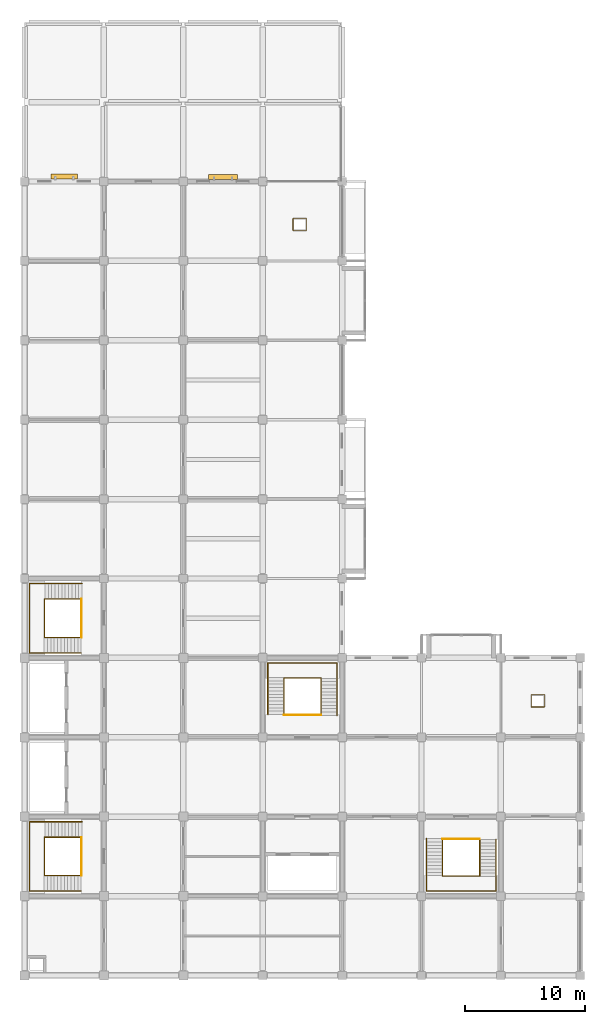
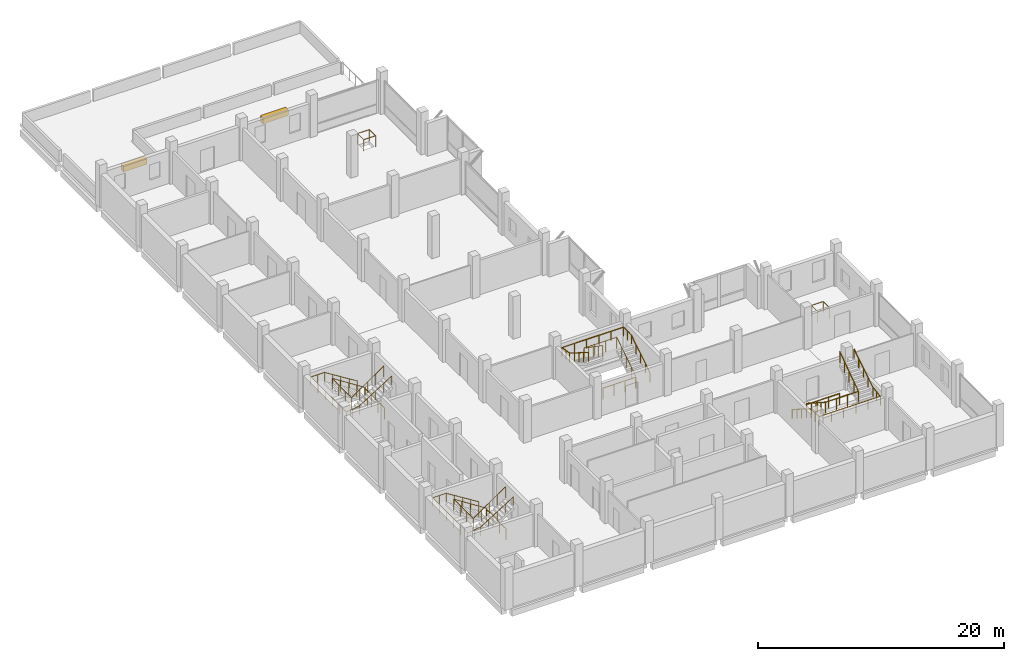
# One storey, part 12 of 13: 14 railings, 2 shading devices.
"""IFC4 building model written with IfcOpenShell, lengths in metres."""

import ifcopenshell
import ifcopenshell.guid

model = None  # the IFC model being written
_history = None  # IfcOwnerHistory: only IFC2X3 demands one
_inside = {}  # id of a spatial element -> (the spatial element, [elements in it])
_under = {}  # id of a project, library or spatial element -> (it, [spatial elements below it])
_declared = {}  # id of a project -> (the project, [libraries it declares])
_typed = {}  # id of a type object -> (the type object, [elements of that type])
_made_of = {}  # id of a material, layer set ... -> (it, [elements and type objects made of it])


def new_model(schema):
    """Start an empty IFC model of exactly this schema.

    Asked for "IFC4X3", IfcOpenShell would pick the latest addendum, in which some entities
    have other attributes; the version numbers below select the first issue.
    IFC2X3 requires an IfcOwnerHistory on every rooted entity: one is made here for all.
    """
    global model, _history
    if schema == "IFC4X3":
        model = ifcopenshell.file(schema_version=(4, 3, 0, 0))
    else:
        model = ifcopenshell.file(schema=schema)
    _inside.clear()
    _under.clear()
    _declared.clear()
    _typed.clear()
    _made_of.clear()
    _history = None
    if model.schema == "IFC2X3":
        org = make("IfcOrganization", Name="unknown")
        user = make(
            "IfcPersonAndOrganization",
            ThePerson=make("IfcPerson", FamilyName="unknown"),
            TheOrganization=org,
        )
        app = make(
            "IfcApplication",
            ApplicationDeveloper=org,
            Version="unknown",
            ApplicationFullName="unknown",
            ApplicationIdentifier="unknown",
        )
        _history = make(
            "IfcOwnerHistory",
            OwningUser=user,
            OwningApplication=app,
            ChangeAction="ADDED",
            CreationDate=0,
        )
    return model


def make(cls, **values):
    """One entity of the class cls with the attributes given. An attribute that is None is left unset."""
    return model.create_entity(
        cls, **{name: value for name, value in values.items() if value is not None}
    )


def rooted(cls, **values):
    """An entity with a GlobalId (a new one), such as an element, a storey or a relation."""
    return make(cls, GlobalId=ifcopenshell.guid.new(), OwnerHistory=_history, **values)


def si_unit(unit_type, name, prefix=None):
    """IfcSIUnit, for example si_unit("LENGTHUNIT", "METRE", prefix="MILLI")."""
    return make("IfcSIUnit", UnitType=unit_type, Prefix=prefix, Name=name)


def assignment(units):
    """IfcUnitAssignment: the units of a project."""
    return None if units is None else make("IfcUnitAssignment", Units=units)


def point(xyz):
    """IfcCartesianPoint."""
    return None if xyz is None else make("IfcCartesianPoint", Coordinates=xyz)


def direction(xyz):
    """IfcDirection."""
    return None if xyz is None else make("IfcDirection", DirectionRatios=xyz)


def frame(location, z_axis=None, x_axis=None):
    """IfcAxis2Placement3D, a coordinate frame: its origin and axes. An axis left out is left unset."""
    return make(
        "IfcAxis2Placement3D",
        Location=point(location),
        Axis=direction(z_axis),
        RefDirection=direction(x_axis),
    )


def frame_2d(location, x_axis=None):
    """IfcAxis2Placement2D, a coordinate frame in the plane: its origin and x axis."""
    return make(
        "IfcAxis2Placement2D", Location=point(location), RefDirection=direction(x_axis)
    )


def origin():
    """The frame at (0, 0, 0) with its axes left unset."""
    return frame((0.0, 0.0, 0.0))


def origin_2d():
    """The frame at (0, 0) in the plane with its x axis left unset."""
    return frame_2d((0.0, 0.0))


def place(relative_to, where):
    """IfcLocalPlacement: puts the frame where relative to a parent placement (None: the world)."""
    return make(
        "IfcLocalPlacement", PlacementRelTo=relative_to, RelativePlacement=where
    )


def context(
    kind, dimensions, precision=None, world=None, true_north=None, identifier=None
):
    """IfcGeometricRepresentationContext, for example the 3D "Model" context."""
    return make(
        "IfcGeometricRepresentationContext",
        ContextIdentifier=identifier,
        ContextType=kind,
        CoordinateSpaceDimension=dimensions,
        Precision=precision,
        WorldCoordinateSystem=world,
        TrueNorth=true_north,
    )


def subcontext(parent, identifier, kind, view, scale=None):
    """IfcGeometricRepresentationSubContext, for example "Body" below "Model"."""
    return make(
        "IfcGeometricRepresentationSubContext",
        ContextIdentifier=identifier,
        ContextType=kind,
        ParentContext=parent,
        TargetScale=scale,
        TargetView=view,
    )


def project(units=None, contexts=None):
    """IfcProject with its units and contexts."""
    return rooted(
        "IfcProject",
        Name="project",
        RepresentationContexts=contexts,
        UnitsInContext=assignment(units),
    )


def spatial(cls, under=None, at=None, **own):
    """A site, building, storey or space (cls), placed at a placement, below another one or the project."""
    s = rooted(cls, ObjectPlacement=at, **own)
    if under is not None:
        _under.setdefault(under.id(), (under, []))[1].append(s)
    return s


def profile(cls, at=None, kind="AREA", **sizes):
    """A parametric profile (cls). Its sizes go by their IFC names, for example OverallWidth=200.0."""
    return make(cls, ProfileType=kind, Position=at, **sizes)


def rectangle(**sizes):
    """IfcRectangleProfileDef."""
    return profile("IfcRectangleProfileDef", **sizes)


def circle(**sizes):
    """IfcCircleProfileDef."""
    return profile("IfcCircleProfileDef", **sizes)


def extrude(swept, where, along, depth):
    """IfcExtrudedAreaSolid: the profile swept, set in the frame where, extruded along a direction by depth."""
    return make(
        "IfcExtrudedAreaSolid",
        SweptArea=swept,
        Position=where,
        ExtrudedDirection=direction(along),
        Depth=depth,
    )


def shape(context_of_items, identifier, shape_type, items):
    """IfcShapeRepresentation: the items that make up one representation, for example the "Body"."""
    return make(
        "IfcShapeRepresentation",
        ContextOfItems=context_of_items,
        RepresentationIdentifier=identifier,
        RepresentationType=shape_type,
        Items=items,
    )


def material(Name=None, Category=None):
    """IfcMaterial."""
    return make("IfcMaterial", Name=Name, Category=Category)


def made_of(thing, what):
    """Note that an element or type object is made of a material, layer set ...; save() writes the relation."""
    if what is not None:
        _made_of.setdefault(what.id(), (what, []))[1].append(thing)
    return thing


def type_object(cls, material=None, **own):
    """A type object (cls), such as IfcWallType, which elements share."""
    return made_of(rooted(cls, **own), material)


def element(
    cls,
    number,
    at=None,
    inside=None,
    cuts=None,
    type_object=None,
    material=None,
    context=None,
    identifier="Body",
    shape_type=None,
    held_by="IfcProductDefinitionShape",
    body=None,
    shapes=None,
    **own,
):
    """One element of the class cls, such as IfcWall. Its Tag is "e" and its number.

    at: its placement. inside: the storey or other place that contains it. cuts: it is an
    opening in that element (IfcRelVoidsElement). A single representation is given by context,
    identifier, shape_type and body (its items); several are given by shapes. held_by: the class
    of the entity that holds the representations. save() writes the other relations.
    """
    e = rooted(cls, Tag="e%d" % number, ObjectPlacement=at, **own)
    if body is not None:
        shapes = [shape(context, identifier, shape_type, body)]
    if shapes is not None:
        e.Representation = make(held_by, Representations=shapes)
    if inside is not None:
        _inside.setdefault(inside.id(), (inside, []))[1].append(e)
    if cuts is not None:
        rooted(
            "IfcRelVoidsElement", RelatingBuildingElement=cuts, RelatedOpeningElement=e
        )
    if type_object is not None:
        _typed.setdefault(type_object.id(), (type_object, []))[1].append(e)
    return made_of(e, material)


def aggregate(whole, parts):
    """IfcRelAggregates: a whole, such as a stair, and the parts it consists of."""
    return rooted("IfcRelAggregates", RelatingObject=whole, RelatedObjects=parts)


def save(model, path):
    """Write the relations noted so far, then the file.

    IfcRelAggregates (storeys below a building ...), IfcRelContainedInSpatialStructure (elements
    in a storey), IfcRelDefinesByType, IfcRelAssociatesMaterial and IfcRelDeclares: one each for
    every whole, place, type object, material and project.
    """
    for whole, parts in _under.values():
        aggregate(whole, parts)
    for where, things in _inside.values():
        rooted(
            "IfcRelContainedInSpatialStructure",
            RelatedElements=things,
            RelatingStructure=where,
        )
    for kind, things in _typed.values():
        rooted("IfcRelDefinesByType", RelatedObjects=things, RelatingType=kind)
    for what, things in _made_of.values():
        rooted("IfcRelAssociatesMaterial", RelatedObjects=things, RelatingMaterial=what)
    for by, libraries in _declared.values():
        rooted("IfcRelDeclares", RelatingContext=by, RelatedDefinitions=libraries)
    model.write(path)


model = new_model("IFC4")

# Units and contexts
model_context = context("Model", 3, precision=1e-05, world=origin(), true_north=direction((0.0, 1.0)))
body_context = subcontext(model_context, "Body", "Model", "MODEL_VIEW")
ifc_project = project(units=[si_unit("LENGTHUNIT", "METRE"), si_unit("AREAUNIT", "SQUARE_METRE"), si_unit("VOLUMEUNIT", "CUBIC_METRE"), si_unit("PLANEANGLEUNIT", "RADIAN"), si_unit("MASSUNIT", "GRAM", prefix="KILO")], contexts=[model_context])

# Site, building, storey
site_placement = place(None, origin())
site = spatial("IfcSite", under=ifc_project, at=site_placement, CompositionType="ELEMENT")
building_placement = place(site_placement, origin())
building = spatial("IfcBuilding", under=site, at=building_placement, Name="Rusizi Kubbe Research Institute", CompositionType="ELEMENT")
storey_placement = place(building_placement, frame((0.0, 0.0, 35.39990234375)))
storey = spatial("IfcBuildingStorey", under=building, at=storey_placement, Name="L08", CompositionType="ELEMENT", Elevation=35.39990234375)

# Railings
ifc_material_1 = material(Name="Painted Steel Stair Guard", Category="steel")
railing_type_1 = type_object("IfcRailingType", Name="GR-STAIR", PredefinedType="GUARDRAIL", material=ifc_material_1)
railing_1_placement = place(storey_placement, frame((4.780029296875, 11.489990234375, 0.087646484375)))
element("IfcRailing", 1, at=railing_1_placement, inside=storey, type_object=railing_type_1, Name="Stair Inner Well Guard ST1 L08", PredefinedType="GUARDRAIL", context=body_context, shape_type="SweptSolid", body=[
    extrude(circle(Radius=0.02392578125, at=origin_2d()), frame((0.0, 0.0, 1.09619140625), z_axis=(-0.840361383606, 0.0, 0.542026516828), x_axis=(0.0, -1.0, 0.0)), (0.0, 0.0, 1.0), 3.712890625),
    extrude(circle(Radius=0.02392578125, at=origin_2d()), frame((-3.1201171875, 0.0, 3.1083984375), z_axis=(0.0, -1.0, 0.0), x_axis=(1.0, 0.0, 0.0)), (0.0, 0.0, 1.0), 3.179931640625),
    extrude(circle(Radius=0.02392578125, at=origin_2d()), frame((-3.1201171875, -3.179931640625, 3.1083984375), z_axis=(0.82276741766, 0.0, 0.568378198419), x_axis=(0.0, 1.0, 0.0)), (0.0, 0.0, 1.0), 3.69482421875),
    extrude(circle(Radius=0.02099609375, at=origin_2d()), origin(), (0.0, 0.0, 1.0), 1.072021484375),
    extrude(circle(Radius=0.02099609375, at=origin_2d()), frame((-0.780029296875, 0.0, 0.503173828125)), (0.0, 0.0, 1.0), 1.072021484375),
    extrude(circle(Radius=0.02099609375, at=origin_2d()), frame((-1.56005859375, 0.0, 1.00634765625)), (0.0, 0.0, 1.0), 1.072021484375),
    extrude(circle(Radius=0.02099609375, at=origin_2d()), frame((-2.340087890625, 0.0, 1.50927734375)), (0.0, 0.0, 1.0), 1.072021484375),
    extrude(circle(Radius=0.02099609375, at=origin_2d()), frame((-3.1201171875, 0.0, 2.012451171875)), (0.0, 0.0, 1.0), 1.072021484375),
    extrude(circle(Radius=0.02099609375, at=origin_2d()), frame((-3.1201171875, -1.06005859375, 2.012451171875)), (0.0, 0.0, 1.0), 1.072021484375),
    extrude(circle(Radius=0.02099609375, at=origin_2d()), frame((-3.1201171875, -2.119873046875, 2.012451171875)), (0.0, 0.0, 1.0), 1.072021484375),
    extrude(circle(Radius=0.02099609375, at=origin_2d()), frame((-3.1201171875, -3.179931640625, 2.012451171875)), (0.0, 0.0, 1.0), 1.072021484375),
    extrude(circle(Radius=0.02099609375, at=origin_2d()), frame((-2.360107421875, -3.179931640625, 2.53759765625)), (0.0, 0.0, 1.0), 1.072021484375),
    extrude(circle(Radius=0.02099609375, at=origin_2d()), frame((-1.60009765625, -3.179931640625, 3.0625)), (0.0, 0.0, 1.0), 1.072021484375),
    extrude(circle(Radius=0.02099609375, at=origin_2d()), frame((-0.840087890625, -3.179931640625, 3.58740234375)), (0.0, 0.0, 1.0), 1.072021484375),
    extrude(circle(Radius=0.02099609375, at=origin_2d()), frame((-0.080078125, -3.179931640625, 4.112548828125)), (0.0, 0.0, 1.0), 1.072021484375),
])
railing_2_placement = place(storey_placement, frame((4.75, 11.489990234375, 0.0)))
element("IfcRailing", 2, at=railing_2_placement, inside=storey, type_object=railing_type_1, Name="Stair Floor Edge Guard ST1 L08", PredefinedType="GUARDRAIL", context=body_context, shape_type="SweptSolid", body=[
    extrude(circle(Radius=0.02392578125, at=origin_2d()), frame((0.0, 0.0, 1.09619140625), z_axis=(0.0, -1.0, 0.0), x_axis=(1.0, 0.0, 0.0)), (0.0, 0.0, 1.0), 3.179931640625),
    extrude(circle(Radius=0.02099609375, at=origin_2d()), origin(), (0.0, 0.0, 1.0), 1.072021484375),
    extrude(circle(Radius=0.02099609375, at=origin_2d()), frame((0.0, -1.06005859375, 0.0)), (0.0, 0.0, 1.0), 1.072021484375),
    extrude(circle(Radius=0.02099609375, at=origin_2d()), frame((0.0, -2.119873046875, 0.0)), (0.0, 0.0, 1.0), 1.072021484375),
    extrude(circle(Radius=0.02099609375, at=origin_2d()), frame((0.0, -3.179931640625, 0.0)), (0.0, 0.0, 1.0), 1.072021484375),
])
railing_3_placement = place(storey_placement, frame((4.780029296875, 31.2900390625, 0.087646484375)))
element("IfcRailing", 3, at=railing_3_placement, inside=storey, type_object=railing_type_1, Name="Stair Inner Well Guard ST2 L08", PredefinedType="GUARDRAIL", context=body_context, shape_type="SweptSolid", body=[
    extrude(circle(Radius=0.02392578125, at=origin_2d()), frame((0.0, 0.0, 1.09619140625), z_axis=(-0.840361383606, 0.0, 0.542026516828), x_axis=(0.0, -1.0, 0.0)), (0.0, 0.0, 1.0), 3.712890625),
    extrude(circle(Radius=0.02392578125, at=origin_2d()), frame((-3.1201171875, 0.0, 3.1083984375), z_axis=(0.0, -1.0, 0.0), x_axis=(1.0, 0.0, 0.0)), (0.0, 0.0, 1.0), 3.179931640625),
    extrude(circle(Radius=0.02392578125, at=origin_2d()), frame((-3.1201171875, -3.179931640625, 3.1083984375), z_axis=(0.82276741766, 0.0, 0.568378198419), x_axis=(0.0, 1.0, 0.0)), (0.0, 0.0, 1.0), 3.69482421875),
    extrude(circle(Radius=0.02099609375, at=origin_2d()), origin(), (0.0, 0.0, 1.0), 1.072021484375),
    extrude(circle(Radius=0.02099609375, at=origin_2d()), frame((-0.780029296875, 0.0, 0.503173828125)), (0.0, 0.0, 1.0), 1.072021484375),
    extrude(circle(Radius=0.02099609375, at=origin_2d()), frame((-1.56005859375, 0.0, 1.00634765625)), (0.0, 0.0, 1.0), 1.072021484375),
    extrude(circle(Radius=0.02099609375, at=origin_2d()), frame((-2.340087890625, 0.0, 1.50927734375)), (0.0, 0.0, 1.0), 1.072021484375),
    extrude(circle(Radius=0.02099609375, at=origin_2d()), frame((-3.1201171875, 0.0, 2.012451171875)), (0.0, 0.0, 1.0), 1.072021484375),
    extrude(circle(Radius=0.02099609375, at=origin_2d()), frame((-3.1201171875, -1.06005859375, 2.012451171875)), (0.0, 0.0, 1.0), 1.072021484375),
    extrude(circle(Radius=0.02099609375, at=origin_2d()), frame((-3.1201171875, -2.119873046875, 2.012451171875)), (0.0, 0.0, 1.0), 1.072021484375),
    extrude(circle(Radius=0.02099609375, at=origin_2d()), frame((-3.1201171875, -3.179931640625, 2.012451171875)), (0.0, 0.0, 1.0), 1.072021484375),
    extrude(circle(Radius=0.02099609375, at=origin_2d()), frame((-2.360107421875, -3.179931640625, 2.53759765625)), (0.0, 0.0, 1.0), 1.072021484375),
    extrude(circle(Radius=0.02099609375, at=origin_2d()), frame((-1.60009765625, -3.179931640625, 3.0625)), (0.0, 0.0, 1.0), 1.072021484375),
    extrude(circle(Radius=0.02099609375, at=origin_2d()), frame((-0.840087890625, -3.179931640625, 3.58740234375)), (0.0, 0.0, 1.0), 1.072021484375),
    extrude(circle(Radius=0.02099609375, at=origin_2d()), frame((-0.080078125, -3.179931640625, 4.112548828125)), (0.0, 0.0, 1.0), 1.072021484375),
])
railing_4_placement = place(storey_placement, frame((4.75, 31.2900390625, 0.0)))
element("IfcRailing", 4, at=railing_4_placement, inside=storey, type_object=railing_type_1, Name="Stair Floor Edge Guard ST2 L08", PredefinedType="GUARDRAIL", context=body_context, shape_type="SweptSolid", body=[
    extrude(circle(Radius=0.02392578125, at=origin_2d()), frame((0.0, 0.0, 1.09619140625), z_axis=(0.0, -1.0, 0.0), x_axis=(1.0, 0.0, 0.0)), (0.0, 0.0, 1.0), 3.179931640625),
    extrude(circle(Radius=0.02099609375, at=origin_2d()), origin(), (0.0, 0.0, 1.0), 1.072021484375),
    extrude(circle(Radius=0.02099609375, at=origin_2d()), frame((0.0, -1.06005859375, 0.0)), (0.0, 0.0, 1.0), 1.072021484375),
    extrude(circle(Radius=0.02099609375, at=origin_2d()), frame((0.0, -2.119873046875, 0.0)), (0.0, 0.0, 1.0), 1.072021484375),
    extrude(circle(Radius=0.02099609375, at=origin_2d()), frame((0.0, -3.179931640625, 0.0)), (0.0, 0.0, 1.0), 1.072021484375),
])
railing_5_placement = place(storey_placement, frame((24.639892578125, 21.6201171875, 0.087646484375)))
element("IfcRailing", 5, at=railing_5_placement, inside=storey, type_object=railing_type_1, Name="Stair Inner Well Guard ST3 L08", PredefinedType="GUARDRAIL", context=body_context, shape_type="SweptSolid", body=[
    extrude(circle(Radius=0.02392578125, at=origin_2d()), frame((0.0, 0.0, 1.09619140625), z_axis=(0.0, 0.840342063375, 0.542056469865), x_axis=(-1.0, 0.0, 0.0)), (0.0, 0.0, 1.0), 3.712646484375),
    extrude(circle(Radius=0.02392578125, at=origin_2d()), frame((0.0, 3.119873046875, 3.1083984375), z_axis=(-1.0, 0.0, 0.0), x_axis=(0.0, -1.0, 0.0)), (0.0, 0.0, 1.0), 3.079833984375),
    extrude(circle(Radius=0.02392578125, at=origin_2d()), frame((-3.079833984375, 3.119873046875, 3.1083984375), z_axis=(0.0, -0.82276741766, 0.568378198419), x_axis=(1.0, 0.0, 0.0)), (0.0, 0.0, 1.0), 3.69482421875),
    extrude(circle(Radius=0.02099609375, at=origin_2d()), origin(), (0.0, 0.0, 1.0), 1.072021484375),
    extrude(circle(Radius=0.02099609375, at=origin_2d()), frame((0.0, 0.780029296875, 0.503173828125)), (0.0, 0.0, 1.0), 1.072021484375),
    extrude(circle(Radius=0.02099609375, at=origin_2d()), frame((0.0, 1.56005859375, 1.00634765625)), (0.0, 0.0, 1.0), 1.072021484375),
    extrude(circle(Radius=0.02099609375, at=origin_2d()), frame((0.0, 2.33984375, 1.50927734375)), (0.0, 0.0, 1.0), 1.072021484375),
    extrude(circle(Radius=0.02099609375, at=origin_2d()), frame((0.0, 3.119873046875, 2.012451171875)), (0.0, 0.0, 1.0), 1.072021484375),
    extrude(circle(Radius=0.02099609375, at=origin_2d()), frame((-1.026611328125, 3.119873046875, 2.012451171875)), (0.0, 0.0, 1.0), 1.072021484375),
    extrude(circle(Radius=0.02099609375, at=origin_2d()), frame((-2.05322265625, 3.119873046875, 2.012451171875)), (0.0, 0.0, 1.0), 1.072021484375),
    extrude(circle(Radius=0.02099609375, at=origin_2d()), frame((-3.079833984375, 3.119873046875, 2.012451171875)), (0.0, 0.0, 1.0), 1.072021484375),
    extrude(circle(Radius=0.02099609375, at=origin_2d()), frame((-3.079833984375, 2.35986328125, 2.53759765625)), (0.0, 0.0, 1.0), 1.072021484375),
    extrude(circle(Radius=0.02099609375, at=origin_2d()), frame((-3.079833984375, 1.599853515625, 3.0625)), (0.0, 0.0, 1.0), 1.072021484375),
    extrude(circle(Radius=0.02099609375, at=origin_2d()), frame((-3.079833984375, 0.83984375, 3.58740234375)), (0.0, 0.0, 1.0), 1.072021484375),
    extrude(circle(Radius=0.02099609375, at=origin_2d()), frame((-3.079833984375, 0.079833984375, 4.112548828125)), (0.0, 0.0, 1.0), 1.072021484375),
])
railing_6_placement = place(storey_placement, frame((24.639892578125, 21.64990234375, 0.0)))
element("IfcRailing", 6, at=railing_6_placement, inside=storey, type_object=railing_type_1, Name="Stair Floor Edge Guard ST3 L08", PredefinedType="GUARDRAIL", context=body_context, shape_type="SweptSolid", body=[
    extrude(circle(Radius=0.02392578125, at=origin_2d()), frame((0.0, 0.0, 1.09619140625), z_axis=(-1.0, 0.0, 0.0), x_axis=(0.0, -1.0, 0.0)), (0.0, 0.0, 1.0), 3.079833984375),
    extrude(circle(Radius=0.02099609375, at=origin_2d()), origin(), (0.0, 0.0, 1.0), 1.072021484375),
    extrude(circle(Radius=0.02099609375, at=origin_2d()), frame((-1.026611328125, 0.0, 0.0)), (0.0, 0.0, 1.0), 1.072021484375),
    extrude(circle(Radius=0.02099609375, at=origin_2d()), frame((-2.05322265625, 0.0, 0.0)), (0.0, 0.0, 1.0), 1.072021484375),
    extrude(circle(Radius=0.02099609375, at=origin_2d()), frame((-3.079833984375, 0.0, 0.0)), (0.0, 0.0, 1.0), 1.072021484375),
])
railing_7_placement = place(storey_placement, frame((34.760009765625, 11.3798828125, 0.087646484375)))
element("IfcRailing", 7, at=railing_7_placement, inside=storey, type_object=railing_type_1, Name="Stair Inner Well Guard ST4 L08", PredefinedType="GUARDRAIL", context=body_context, shape_type="SweptSolid", body=[
    extrude(circle(Radius=0.02392578125, at=origin_2d()), frame((0.0, 0.0, 1.09619140625), z_axis=(0.0, -0.840342063375, 0.542056469865), x_axis=(1.0, 0.0, 0.0)), (0.0, 0.0, 1.0), 3.712646484375),
    extrude(circle(Radius=0.02392578125, at=origin_2d()), frame((0.0, -3.119873046875, 3.1083984375), z_axis=(1.0, 0.0, 0.0), x_axis=(0.0, 1.0, 0.0)), (0.0, 0.0, 1.0), 3.080078125),
    extrude(circle(Radius=0.02392578125, at=origin_2d()), frame((3.080078125, -3.119873046875, 3.1083984375), z_axis=(0.0, 0.82276741766, 0.568378198419), x_axis=(-1.0, 0.0, 0.0)), (0.0, 0.0, 1.0), 3.69482421875),
    extrude(circle(Radius=0.02099609375, at=origin_2d()), origin(), (0.0, 0.0, 1.0), 1.072021484375),
    extrude(circle(Radius=0.02099609375, at=origin_2d()), frame((0.0, -0.780029296875, 0.503173828125)), (0.0, 0.0, 1.0), 1.072021484375),
    extrude(circle(Radius=0.02099609375, at=origin_2d()), frame((0.0, -1.56005859375, 1.00634765625)), (0.0, 0.0, 1.0), 1.072021484375),
    extrude(circle(Radius=0.02099609375, at=origin_2d()), frame((0.0, -2.33984375, 1.50927734375)), (0.0, 0.0, 1.0), 1.072021484375),
    extrude(circle(Radius=0.02099609375, at=origin_2d()), frame((0.0, -3.119873046875, 2.012451171875)), (0.0, 0.0, 1.0), 1.072021484375),
    extrude(circle(Radius=0.02099609375, at=origin_2d()), frame((1.026611328125, -3.119873046875, 2.012451171875)), (0.0, 0.0, 1.0), 1.072021484375),
    extrude(circle(Radius=0.02099609375, at=origin_2d()), frame((2.053466796875, -3.119873046875, 2.012451171875)), (0.0, 0.0, 1.0), 1.072021484375),
    extrude(circle(Radius=0.02099609375, at=origin_2d()), frame((3.080078125, -3.119873046875, 2.012451171875)), (0.0, 0.0, 1.0), 1.072021484375),
    extrude(circle(Radius=0.02099609375, at=origin_2d()), frame((3.080078125, -2.35986328125, 2.53759765625)), (0.0, 0.0, 1.0), 1.072021484375),
    extrude(circle(Radius=0.02099609375, at=origin_2d()), frame((3.080078125, -1.599853515625, 3.0625)), (0.0, 0.0, 1.0), 1.072021484375),
    extrude(circle(Radius=0.02099609375, at=origin_2d()), frame((3.080078125, -0.83984375, 3.58740234375)), (0.0, 0.0, 1.0), 1.072021484375),
    extrude(circle(Radius=0.02099609375, at=origin_2d()), frame((3.080078125, -0.079833984375, 4.112548828125)), (0.0, 0.0, 1.0), 1.072021484375),
])
railing_8_placement = place(storey_placement, frame((34.760009765625, 11.35009765625, 0.0)))
element("IfcRailing", 8, at=railing_8_placement, inside=storey, type_object=railing_type_1, Name="Stair Floor Edge Guard ST4 L08", PredefinedType="GUARDRAIL", context=body_context, shape_type="SweptSolid", body=[
    extrude(circle(Radius=0.02392578125, at=origin_2d()), frame((0.0, 0.0, 1.09619140625), z_axis=(1.0, 0.0, 0.0), x_axis=(0.0, 1.0, 0.0)), (0.0, 0.0, 1.0), 3.080078125),
    extrude(circle(Radius=0.02099609375, at=origin_2d()), origin(), (0.0, 0.0, 1.0), 1.072021484375),
    extrude(circle(Radius=0.02099609375, at=origin_2d()), frame((1.026611328125, 0.0, 0.0)), (0.0, 0.0, 1.0), 1.072021484375),
    extrude(circle(Radius=0.02099609375, at=origin_2d()), frame((2.053466796875, 0.0, 0.0)), (0.0, 0.0, 1.0), 1.072021484375),
    extrude(circle(Radius=0.02099609375, at=origin_2d()), frame((3.080078125, 0.0, 0.0)), (0.0, 0.0, 1.0), 1.072021484375),
])
for number, where, name in (
    (9, (22.320068359375, 61.919921875, 0.0), "Service Riser Guard L08 NORTHA"),
    (10, (42.1201171875, 22.320068359375, 0.0), "Service Riser Guard L08 EAST"),
):
    element("IfcRailing", number, at=place(storey_placement, frame(where)), inside=storey, type_object=railing_type_1, Name=name, PredefinedType="GUARDRAIL", context=body_context, shape_type="SweptSolid", body=[
        extrude(circle(Radius=0.02392578125, at=origin_2d()), frame((0.0, 0.0, 1.09619140625), z_axis=(1.0, 0.0, 0.0), x_axis=(0.0, 1.0, 0.0)), (0.0, 0.0, 1.0), 1.10986328125),
        extrude(circle(Radius=0.02392578125, at=origin_2d()), frame((1.10986328125, 0.0, 1.09619140625), z_axis=(0.0, 1.0, 0.0), x_axis=(-1.0, 0.0, 0.0)), (0.0, 0.0, 1.0), 1.010009765625),
        extrude(circle(Radius=0.02392578125, at=origin_2d()), frame((1.10986328125, 1.010009765625, 1.09619140625), z_axis=(-1.0, 0.0, 0.0), x_axis=(0.0, -1.0, 0.0)), (0.0, 0.0, 1.0), 1.10986328125),
        extrude(circle(Radius=0.02392578125, at=origin_2d()), frame((0.0, 1.010009765625, 1.09619140625), z_axis=(0.0, -1.0, 0.0), x_axis=(1.0, 0.0, 0.0)), (0.0, 0.0, 1.0), 1.010009765625),
        extrude(circle(Radius=0.02099609375, at=origin_2d()), origin(), (0.0, 0.0, 1.0), 1.072021484375),
        extrude(circle(Radius=0.02099609375, at=origin_2d()), frame((1.10986328125, 0.0, 0.0)), (0.0, 0.0, 1.0), 1.072021484375),
        extrude(circle(Radius=0.02099609375, at=origin_2d()), frame((1.10986328125, 1.010009765625, 0.0)), (0.0, 0.0, 1.0), 1.072021484375),
        extrude(circle(Radius=0.02099609375, at=origin_2d()), frame((0.0, 1.010009765625, 0.0)), (0.0, 0.0, 1.0), 1.072021484375),
    ])
ifc_material_2 = material(Name="Brushed Stainless Steel Handrail", Category="steel")
railing_type_2 = type_object("IfcRailingType", Name="HR-STAIR", PredefinedType="HANDRAIL", material=ifc_material_2)
railing_9_placement = place(storey_placement, frame((4.780029296875, 12.780029296875, 0.175048828125)))
element("IfcRailing", 11, at=railing_9_placement, inside=storey, type_object=railing_type_2, Name="Stair Wall Handrail ST1 L08", PredefinedType="HANDRAIL", context=body_context, shape_type="SweptSolid", body=[
    extrude(circle(Radius=0.02392578125, at=origin_2d()), frame((0.0, 0.0, 0.8759765625), z_axis=(-0.847998304005, 0.0, 0.529998940003), x_axis=(0.0, -1.0, 0.0)), (0.0, 0.0, 1.0), 3.632080078125),
    extrude(circle(Radius=0.02392578125, at=origin_2d()), frame((-3.080078125, 0.0, 2.80078125), z_axis=(-1.0, 0.0, 0.0), x_axis=(0.0, -1.0, 0.0)), (0.0, 0.0, 1.0), 1.280029296875),
    extrude(circle(Radius=0.02392578125, at=origin_2d()), frame((-4.360107421875, 0.0, 2.80078125), z_axis=(0.0, -1.0, 0.0), x_axis=(1.0, 0.0, 0.0)), (0.0, 0.0, 1.0), 5.760009765625),
    extrude(circle(Radius=0.02392578125, at=origin_2d()), frame((-4.360107421875, -5.760009765625, 2.80078125), z_axis=(0.989630492691, 0.0, 0.143636652482), x_axis=(0.0, 1.0, 0.0)), (0.0, 0.0, 1.0), 1.21875),
    extrude(circle(Radius=0.02392578125, at=origin_2d()), frame((-3.154052734375, -5.760009765625, 2.97607421875), z_axis=(0.847525270172, 0.0, 0.530755043706), x_axis=(0.0, 1.0, 0.0)), (0.0, 0.0, 1.0), 3.626953125),
    extrude(circle(Radius=0.02099609375, at=origin_2d()), origin(), (0.0, 0.0, 1.0), 0.851806640625),
    extrude(circle(Radius=0.02099609375, at=origin_2d()), frame((-0.77001953125, 0.0, 0.481201171875)), (0.0, 0.0, 1.0), 0.851806640625),
    extrude(circle(Radius=0.02099609375, at=origin_2d()), frame((-1.5400390625, 0.0, 0.96240234375)), (0.0, 0.0, 1.0), 0.851806640625),
    extrude(circle(Radius=0.02099609375, at=origin_2d()), frame((-2.31005859375, 0.0, 1.44384765625)), (0.0, 0.0, 1.0), 0.851806640625),
    extrude(circle(Radius=0.02099609375, at=origin_2d()), frame((-3.080078125, 0.0, 1.925048828125)), (0.0, 0.0, 1.0), 0.851806640625),
    extrude(circle(Radius=0.02099609375, at=origin_2d()), frame((-3.72021484375, 0.0, 1.925048828125)), (0.0, 0.0, 1.0), 0.851806640625),
    extrude(circle(Radius=0.02099609375, at=origin_2d()), frame((-4.360107421875, 0.0, 1.925048828125)), (0.0, 0.0, 1.0), 0.851806640625),
    extrude(circle(Radius=0.02099609375, at=origin_2d()), frame((-4.360107421875, -1.152099609375, 1.925048828125)), (0.0, 0.0, 1.0), 0.851806640625),
    extrude(circle(Radius=0.02099609375, at=origin_2d()), frame((-4.360107421875, -2.303955078125, 1.925048828125)), (0.0, 0.0, 1.0), 0.851806640625),
    extrude(circle(Radius=0.02099609375, at=origin_2d()), frame((-4.360107421875, -3.4560546875, 1.925048828125)), (0.0, 0.0, 1.0), 0.851806640625),
    extrude(circle(Radius=0.02099609375, at=origin_2d()), frame((-4.360107421875, -4.60791015625, 1.925048828125)), (0.0, 0.0, 1.0), 0.851806640625),
    extrude(circle(Radius=0.02099609375, at=origin_2d()), frame((-4.360107421875, -5.760009765625, 1.925048828125)), (0.0, 0.0, 1.0), 0.851806640625),
    extrude(circle(Radius=0.02099609375, at=origin_2d()), frame((-3.757080078125, -5.760009765625, 2.0126953125)), (0.0, 0.0, 1.0), 0.851806640625),
    extrude(circle(Radius=0.02099609375, at=origin_2d()), frame((-3.154052734375, -5.760009765625, 2.10009765625)), (0.0, 0.0, 1.0), 0.851806640625),
    extrude(circle(Radius=0.02099609375, at=origin_2d()), frame((-2.385498046875, -5.760009765625, 2.581298828125)), (0.0, 0.0, 1.0), 0.851806640625),
    extrude(circle(Radius=0.02099609375, at=origin_2d()), frame((-1.6171875, -5.760009765625, 3.0625)), (0.0, 0.0, 1.0), 0.851806640625),
    extrude(circle(Radius=0.02099609375, at=origin_2d()), frame((-0.8486328125, -5.760009765625, 3.5439453125)), (0.0, 0.0, 1.0), 0.851806640625),
    extrude(circle(Radius=0.02099609375, at=origin_2d()), frame((-0.080078125, -5.760009765625, 4.025146484375)), (0.0, 0.0, 1.0), 0.851806640625),
])
railing_10_placement = place(storey_placement, frame((4.780029296875, 32.580078125, 0.175048828125)))
element("IfcRailing", 12, at=railing_10_placement, inside=storey, type_object=railing_type_2, Name="Stair Wall Handrail ST2 L08", PredefinedType="HANDRAIL", context=body_context, shape_type="SweptSolid", body=[
    extrude(circle(Radius=0.02392578125, at=origin_2d()), frame((0.0, 0.0, 0.8759765625), z_axis=(-0.847998304005, 0.0, 0.529998940003), x_axis=(0.0, -1.0, 0.0)), (0.0, 0.0, 1.0), 3.632080078125),
    extrude(circle(Radius=0.02392578125, at=origin_2d()), frame((-3.080078125, 0.0, 2.80078125), z_axis=(-1.0, 0.0, 0.0), x_axis=(0.0, -1.0, 0.0)), (0.0, 0.0, 1.0), 1.280029296875),
    extrude(circle(Radius=0.02392578125, at=origin_2d()), frame((-4.360107421875, 0.0, 2.80078125), z_axis=(0.0, -1.0, 0.0), x_axis=(1.0, 0.0, 0.0)), (0.0, 0.0, 1.0), 5.760009765625),
    extrude(circle(Radius=0.02392578125, at=origin_2d()), frame((-4.360107421875, -5.760009765625, 2.80078125), z_axis=(0.989630492691, 0.0, 0.143636652482), x_axis=(0.0, 1.0, 0.0)), (0.0, 0.0, 1.0), 1.21875),
    extrude(circle(Radius=0.02392578125, at=origin_2d()), frame((-3.154052734375, -5.760009765625, 2.97607421875), z_axis=(0.847525270172, 0.0, 0.530755043706), x_axis=(0.0, 1.0, 0.0)), (0.0, 0.0, 1.0), 3.626953125),
    extrude(circle(Radius=0.02099609375, at=origin_2d()), origin(), (0.0, 0.0, 1.0), 0.851806640625),
    extrude(circle(Radius=0.02099609375, at=origin_2d()), frame((-0.77001953125, 0.0, 0.481201171875)), (0.0, 0.0, 1.0), 0.851806640625),
    extrude(circle(Radius=0.02099609375, at=origin_2d()), frame((-1.5400390625, 0.0, 0.96240234375)), (0.0, 0.0, 1.0), 0.851806640625),
    extrude(circle(Radius=0.02099609375, at=origin_2d()), frame((-2.31005859375, 0.0, 1.44384765625)), (0.0, 0.0, 1.0), 0.851806640625),
    extrude(circle(Radius=0.02099609375, at=origin_2d()), frame((-3.080078125, 0.0, 1.925048828125)), (0.0, 0.0, 1.0), 0.851806640625),
    extrude(circle(Radius=0.02099609375, at=origin_2d()), frame((-3.72021484375, 0.0, 1.925048828125)), (0.0, 0.0, 1.0), 0.851806640625),
    extrude(circle(Radius=0.02099609375, at=origin_2d()), frame((-4.360107421875, 0.0, 1.925048828125)), (0.0, 0.0, 1.0), 0.851806640625),
    extrude(circle(Radius=0.02099609375, at=origin_2d()), frame((-4.360107421875, -1.152099609375, 1.925048828125)), (0.0, 0.0, 1.0), 0.851806640625),
    extrude(circle(Radius=0.02099609375, at=origin_2d()), frame((-4.360107421875, -2.303955078125, 1.925048828125)), (0.0, 0.0, 1.0), 0.851806640625),
    extrude(circle(Radius=0.02099609375, at=origin_2d()), frame((-4.360107421875, -3.4560546875, 1.925048828125)), (0.0, 0.0, 1.0), 0.851806640625),
    extrude(circle(Radius=0.02099609375, at=origin_2d()), frame((-4.360107421875, -4.60791015625, 1.925048828125)), (0.0, 0.0, 1.0), 0.851806640625),
    extrude(circle(Radius=0.02099609375, at=origin_2d()), frame((-4.360107421875, -5.760009765625, 1.925048828125)), (0.0, 0.0, 1.0), 0.851806640625),
    extrude(circle(Radius=0.02099609375, at=origin_2d()), frame((-3.757080078125, -5.760009765625, 2.0126953125)), (0.0, 0.0, 1.0), 0.851806640625),
    extrude(circle(Radius=0.02099609375, at=origin_2d()), frame((-3.154052734375, -5.760009765625, 2.10009765625)), (0.0, 0.0, 1.0), 0.851806640625),
    extrude(circle(Radius=0.02099609375, at=origin_2d()), frame((-2.385498046875, -5.760009765625, 2.581298828125)), (0.0, 0.0, 1.0), 0.851806640625),
    extrude(circle(Radius=0.02099609375, at=origin_2d()), frame((-1.6171875, -5.760009765625, 3.0625)), (0.0, 0.0, 1.0), 0.851806640625),
    extrude(circle(Radius=0.02099609375, at=origin_2d()), frame((-0.8486328125, -5.760009765625, 3.5439453125)), (0.0, 0.0, 1.0), 0.851806640625),
    extrude(circle(Radius=0.02099609375, at=origin_2d()), frame((-0.080078125, -5.760009765625, 4.025146484375)), (0.0, 0.0, 1.0), 0.851806640625),
])
railing_11_placement = place(storey_placement, frame((25.97998046875, 21.6201171875, 0.175048828125)))
element("IfcRailing", 13, at=railing_11_placement, inside=storey, type_object=railing_type_2, Name="Stair Wall Handrail ST3 L08", PredefinedType="HANDRAIL", context=body_context, shape_type="SweptSolid", body=[
    extrude(circle(Radius=0.02392578125, at=origin_2d()), frame((0.0, 0.0, 0.8759765625), z_axis=(0.0, 0.847979421464, 0.530029150871), x_axis=(-1.0, 0.0, 0.0)), (0.0, 0.0, 1.0), 3.632080078125),
    extrude(circle(Radius=0.02392578125, at=origin_2d()), frame((0.0, 3.079833984375, 2.80078125), z_axis=(0.0, 1.0, 0.0), x_axis=(-1.0, 0.0, 0.0)), (0.0, 0.0, 1.0), 1.280029296875),
    extrude(circle(Radius=0.02392578125, at=origin_2d()), frame((0.0, 4.35986328125, 2.80078125), z_axis=(-1.0, 0.0, 0.0), x_axis=(0.0, -1.0, 0.0)), (0.0, 0.0, 1.0), 5.760009765625),
    extrude(circle(Radius=0.02392578125, at=origin_2d()), frame((-5.760009765625, 4.35986328125, 2.80078125), z_axis=(0.0, -0.989630492691, 0.143636652482), x_axis=(1.0, 0.0, 0.0)), (0.0, 0.0, 1.0), 1.21875),
    extrude(circle(Radius=0.02392578125, at=origin_2d()), frame((-5.760009765625, 3.15380859375, 2.97607421875), z_axis=(0.0, -0.847525270172, 0.530755043706), x_axis=(1.0, 0.0, 0.0)), (0.0, 0.0, 1.0), 3.626953125),
    extrude(circle(Radius=0.02099609375, at=origin_2d()), origin(), (0.0, 0.0, 1.0), 0.851806640625),
    extrude(circle(Radius=0.02099609375, at=origin_2d()), frame((0.0, 0.77001953125, 0.481201171875)), (0.0, 0.0, 1.0), 0.851806640625),
    extrude(circle(Radius=0.02099609375, at=origin_2d()), frame((0.0, 1.5400390625, 0.96240234375)), (0.0, 0.0, 1.0), 0.851806640625),
    extrude(circle(Radius=0.02099609375, at=origin_2d()), frame((0.0, 2.309814453125, 1.44384765625)), (0.0, 0.0, 1.0), 0.851806640625),
    extrude(circle(Radius=0.02099609375, at=origin_2d()), frame((0.0, 3.079833984375, 1.925048828125)), (0.0, 0.0, 1.0), 0.851806640625),
    extrude(circle(Radius=0.02099609375, at=origin_2d()), frame((0.0, 3.7197265625, 1.925048828125)), (0.0, 0.0, 1.0), 0.851806640625),
    extrude(circle(Radius=0.02099609375, at=origin_2d()), frame((0.0, 4.35986328125, 1.925048828125)), (0.0, 0.0, 1.0), 0.851806640625),
    extrude(circle(Radius=0.02099609375, at=origin_2d()), frame((-1.152099609375, 4.35986328125, 1.925048828125)), (0.0, 0.0, 1.0), 0.851806640625),
    extrude(circle(Radius=0.02099609375, at=origin_2d()), frame((-2.303955078125, 4.35986328125, 1.925048828125)), (0.0, 0.0, 1.0), 0.851806640625),
    extrude(circle(Radius=0.02099609375, at=origin_2d()), frame((-3.4560546875, 4.35986328125, 1.925048828125)), (0.0, 0.0, 1.0), 0.851806640625),
    extrude(circle(Radius=0.02099609375, at=origin_2d()), frame((-4.60791015625, 4.35986328125, 1.925048828125)), (0.0, 0.0, 1.0), 0.851806640625),
    extrude(circle(Radius=0.02099609375, at=origin_2d()), frame((-5.760009765625, 4.35986328125, 1.925048828125)), (0.0, 0.0, 1.0), 0.851806640625),
    extrude(circle(Radius=0.02099609375, at=origin_2d()), frame((-5.760009765625, 3.7568359375, 2.0126953125)), (0.0, 0.0, 1.0), 0.851806640625),
    extrude(circle(Radius=0.02099609375, at=origin_2d()), frame((-5.760009765625, 3.15380859375, 2.10009765625)), (0.0, 0.0, 1.0), 0.851806640625),
    extrude(circle(Radius=0.02099609375, at=origin_2d()), frame((-5.760009765625, 2.38525390625, 2.581298828125)), (0.0, 0.0, 1.0), 0.851806640625),
    extrude(circle(Radius=0.02099609375, at=origin_2d()), frame((-5.760009765625, 1.61669921875, 3.0625)), (0.0, 0.0, 1.0), 0.851806640625),
    extrude(circle(Radius=0.02099609375, at=origin_2d()), frame((-5.760009765625, 0.848388671875, 3.5439453125)), (0.0, 0.0, 1.0), 0.851806640625),
    extrude(circle(Radius=0.02099609375, at=origin_2d()), frame((-5.760009765625, 0.079833984375, 4.025146484375)), (0.0, 0.0, 1.0), 0.851806640625),
])
railing_12_placement = place(storey_placement, frame((33.419921875, 11.3798828125, 0.175048828125)))
element("IfcRailing", 14, at=railing_12_placement, inside=storey, type_object=railing_type_2, Name="Stair Wall Handrail ST4 L08", PredefinedType="HANDRAIL", context=body_context, shape_type="SweptSolid", body=[
    extrude(circle(Radius=0.02392578125, at=origin_2d()), frame((0.0, 0.0, 0.8759765625), z_axis=(0.0, -0.847979421464, 0.530029150871), x_axis=(1.0, 0.0, 0.0)), (0.0, 0.0, 1.0), 3.632080078125),
    extrude(circle(Radius=0.02392578125, at=origin_2d()), frame((0.0, -3.079833984375, 2.80078125), z_axis=(0.0, -1.0, 0.0), x_axis=(1.0, 0.0, 0.0)), (0.0, 0.0, 1.0), 1.280029296875),
    extrude(circle(Radius=0.02392578125, at=origin_2d()), frame((0.0, -4.35986328125, 2.80078125), z_axis=(1.0, 0.0, 0.0), x_axis=(0.0, 1.0, 0.0)), (0.0, 0.0, 1.0), 5.760009765625),
    extrude(circle(Radius=0.02392578125, at=origin_2d()), frame((5.760009765625, -4.35986328125, 2.80078125), z_axis=(0.0, 0.989630492691, 0.143636652482), x_axis=(-1.0, 0.0, 0.0)), (0.0, 0.0, 1.0), 1.21875),
    extrude(circle(Radius=0.02392578125, at=origin_2d()), frame((5.760009765625, -3.15380859375, 2.97607421875), z_axis=(0.0, 0.847525270172, 0.530755043706), x_axis=(-1.0, 0.0, 0.0)), (0.0, 0.0, 1.0), 3.626953125),
    extrude(circle(Radius=0.02099609375, at=origin_2d()), origin(), (0.0, 0.0, 1.0), 0.851806640625),
    extrude(circle(Radius=0.02099609375, at=origin_2d()), frame((0.0, -0.77001953125, 0.481201171875)), (0.0, 0.0, 1.0), 0.851806640625),
    extrude(circle(Radius=0.02099609375, at=origin_2d()), frame((0.0, -1.5400390625, 0.96240234375)), (0.0, 0.0, 1.0), 0.851806640625),
    extrude(circle(Radius=0.02099609375, at=origin_2d()), frame((0.0, -2.309814453125, 1.44384765625)), (0.0, 0.0, 1.0), 0.851806640625),
    extrude(circle(Radius=0.02099609375, at=origin_2d()), frame((0.0, -3.079833984375, 1.925048828125)), (0.0, 0.0, 1.0), 0.851806640625),
    extrude(circle(Radius=0.02099609375, at=origin_2d()), frame((0.0, -3.7197265625, 1.925048828125)), (0.0, 0.0, 1.0), 0.851806640625),
    extrude(circle(Radius=0.02099609375, at=origin_2d()), frame((0.0, -4.35986328125, 1.925048828125)), (0.0, 0.0, 1.0), 0.851806640625),
    extrude(circle(Radius=0.02099609375, at=origin_2d()), frame((1.152099609375, -4.35986328125, 1.925048828125)), (0.0, 0.0, 1.0), 0.851806640625),
    extrude(circle(Radius=0.02099609375, at=origin_2d()), frame((2.303955078125, -4.35986328125, 1.925048828125)), (0.0, 0.0, 1.0), 0.851806640625),
    extrude(circle(Radius=0.02099609375, at=origin_2d()), frame((3.4560546875, -4.35986328125, 1.925048828125)), (0.0, 0.0, 1.0), 0.851806640625),
    extrude(circle(Radius=0.02099609375, at=origin_2d()), frame((4.60791015625, -4.35986328125, 1.925048828125)), (0.0, 0.0, 1.0), 0.851806640625),
    extrude(circle(Radius=0.02099609375, at=origin_2d()), frame((5.760009765625, -4.35986328125, 1.925048828125)), (0.0, 0.0, 1.0), 0.851806640625),
    extrude(circle(Radius=0.02099609375, at=origin_2d()), frame((5.760009765625, -3.7568359375, 2.0126953125)), (0.0, 0.0, 1.0), 0.851806640625),
    extrude(circle(Radius=0.02099609375, at=origin_2d()), frame((5.760009765625, -3.15380859375, 2.10009765625)), (0.0, 0.0, 1.0), 0.851806640625),
    extrude(circle(Radius=0.02099609375, at=origin_2d()), frame((5.760009765625, -2.38525390625, 2.581298828125)), (0.0, 0.0, 1.0), 0.851806640625),
    extrude(circle(Radius=0.02099609375, at=origin_2d()), frame((5.760009765625, -1.61669921875, 3.0625)), (0.0, 0.0, 1.0), 0.851806640625),
    extrude(circle(Radius=0.02099609375, at=origin_2d()), frame((5.760009765625, -0.848388671875, 3.5439453125)), (0.0, 0.0, 1.0), 0.851806640625),
    extrude(circle(Radius=0.02099609375, at=origin_2d()), frame((5.760009765625, -0.079833984375, 4.025146484375)), (0.0, 0.0, 1.0), 0.851806640625),
])

# Shading devices
ifc_material_3 = material(Name="Extruded Aluminium Solar Louver", Category="aluminium")
shading_device_type_1 = type_object("IfcShadingDeviceType", Name="SD-01", PredefinedType="SHUTTER", material=ifc_material_3)
shading_device_1_placement = place(storey_placement, frame((16.5, 66.382568359375, 2.530029296875), z_axis=(0.0, 0.0, 1.0), x_axis=(1.0, 0.0, 0.0)))
element("IfcShadingDevice", 15, at=shading_device_1_placement, inside=storey, type_object=shading_device_type_1, Name="Solar Shading Louver SD-01-044", PredefinedType="SHUTTER", context=body_context, shape_type="SweptSolid", body=[
    extrude(rectangle(XDim=2.39990234375, YDim=0.419921875, at=origin_2d()), origin(), (0.0, 0.0, 1.0), 0.60009765625),
])
ifc_material_4 = material(Name="Extruded Aluminium Solar Louver", Category="aluminium")
shading_device_type_2 = type_object("IfcShadingDeviceType", Name="SD-04", PredefinedType="SHUTTER", material=ifc_material_4)
shading_device_2_placement = place(storey_placement, frame((3.300048828125, 66.3974609375, 2.3349609375), z_axis=(0.0, 0.0, 1.0), x_axis=(1.0, 0.0, 0.0)))
element("IfcShadingDevice", 16, at=shading_device_2_placement, inside=storey, type_object=shading_device_type_2, Name="Solar Shading Louver SD-04-043", PredefinedType="SHUTTER", context=body_context, shape_type="SweptSolid", body=[
    extrude(rectangle(XDim=2.199951171875, YDim=0.419921875, at=origin_2d()), origin(), (0.0, 0.0, 1.0), 0.550048828125),
])

save(model, "model.ifc")
